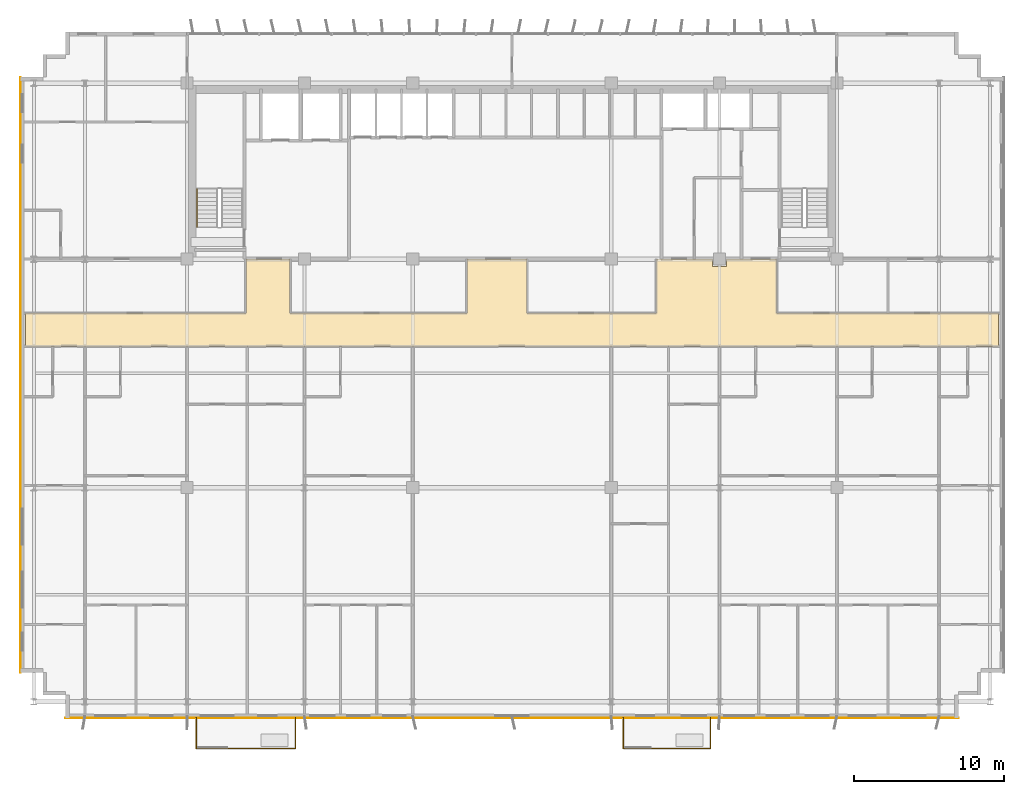
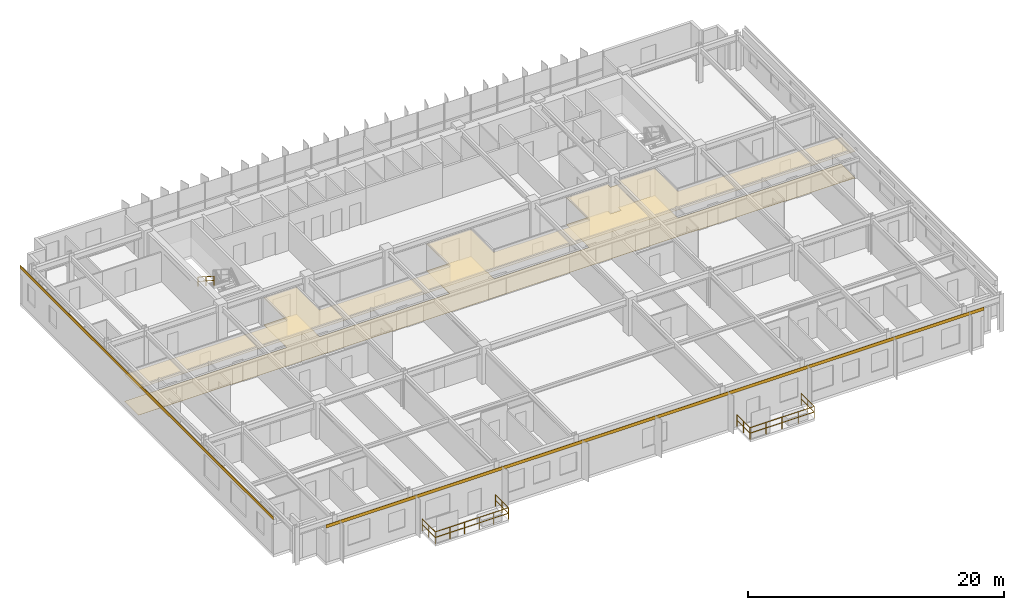
# One storey, part 20 of 22: 7 railings, 4 coverings.
"""IFC4 building model written with IfcOpenShell, lengths in metres."""

from ifc_helpers import new_model, si_unit, direction, frame, origin, origin_2d, place, context, subcontext, project, spatial, polyline, rectangle, outline, extrude, source, transform, mapped, material, layer, layer_set, type_object, element, save


model = new_model("IFC4")

# Units and contexts
model_context = context("Model", 3, precision=1e-05, world=origin(), true_north=direction((0.0, 1.0)))
body_context = subcontext(model_context, "Body", "Model", "MODEL_VIEW")
ifc_project = project(units=[si_unit("LENGTHUNIT", "METRE"), si_unit("AREAUNIT", "SQUARE_METRE"), si_unit("VOLUMEUNIT", "CUBIC_METRE"), si_unit("PLANEANGLEUNIT", "RADIAN"), si_unit("MASSUNIT", "GRAM", prefix="KILO")], contexts=[model_context])

# Site, building, storey
site_placement = place(None, origin())
site = spatial("IfcSite", under=ifc_project, at=site_placement, CompositionType="ELEMENT")
building_placement = place(site_placement, origin())
building = spatial("IfcBuilding", under=site, at=building_placement, Name="Trelvane Seafront Commons", CompositionType="ELEMENT")
storey_placement = place(building_placement, frame((0.0, 0.0, 92.5)))
storey = spatial("IfcBuildingStorey", under=building, at=storey_placement, Name="L23", CompositionType="ELEMENT", Elevation=92.5)

# Coverings
ifc_material_1 = material(Name="Acoustic Mineral Fibre Ceiling")
ifc_layer_1 = layer(ifc_material_1, 0.02490234375, Name="ARCH-COV-CEIL25")
ifc_layer_set_1 = layer_set([ifc_layer_1], Name="Acoustic Mineral Fibre Ceiling")
covering_type_1 = type_object("IfcCoveringType", Name="ARCH-COV-CEIL25", PredefinedType="CEILING", material=ifc_layer_set_1)
covering_1_placement = place(storey_placement, frame((0.0, 0.0, 2.550048828125)))
element("IfcCovering", 1, at=covering_1_placement, inside=storey, type_object=covering_type_1, Name="COV-CEIL-L23-11", PredefinedType="CEILING", context=body_context, shape_type="SweptSolid", body=[
    extrude(outline(polyline([(51.47998046875, 33.39990234375), (51.47998046875, 32.919921875), (50.52001953125, 32.919921875), (50.52001953125, 33.39990234375), (46.800048828125, 33.39990234375), (46.800048828125, 29.800048828125), (38.199951171875, 29.800048828125), (38.199951171875, 33.39990234375), (34.199951171875, 33.39990234375), (34.199951171875, 29.800048828125), (22.449951171875, 29.800048828125), (22.449951171875, 33.39990234375), (19.5, 33.39990234375), (19.5, 29.800048828125), (4.85009765625, 29.800048828125), (4.85009765625, 27.60009765625), (69.550048828125, 27.60009765625), (69.550048828125, 29.800048828125), (54.800048828125, 29.800048828125), (54.800048828125, 33.39990234375), (51.47998046875, 33.39990234375)])), origin(), (0.0, 0.0, 1.0), 0.02490234375),
])
ifc_material_2 = material(Name="Polished Terrazzo Finish")
ifc_layer_2 = layer(ifc_material_2, 0.02001953125, Name="ARCH-COV-FLOR20")
ifc_layer_set_2 = layer_set([ifc_layer_2], Name="Polished Terrazzo Finish")
covering_type_2 = type_object("IfcCoveringType", Name="ARCH-COV-FLOR20", PredefinedType="FLOORING", material=ifc_layer_set_2)
covering_2_placement = place(storey_placement, origin())
element("IfcCovering", 2, at=covering_2_placement, inside=storey, type_object=covering_type_2, Name="COV-FLOR-L23-11", PredefinedType="FLOORING", context=body_context, shape_type="SweptSolid", body=[
    extrude(outline(polyline([(51.47998046875, 33.39990234375), (51.47998046875, 32.919921875), (50.52001953125, 32.919921875), (50.52001953125, 33.39990234375), (46.800048828125, 33.39990234375), (46.800048828125, 29.800048828125), (38.199951171875, 29.800048828125), (38.199951171875, 33.39990234375), (34.199951171875, 33.39990234375), (34.199951171875, 29.800048828125), (22.449951171875, 29.800048828125), (22.449951171875, 33.39990234375), (19.5, 33.39990234375), (19.5, 29.800048828125), (4.85009765625, 29.800048828125), (4.85009765625, 27.60009765625), (69.550048828125, 27.60009765625), (69.550048828125, 29.800048828125), (54.800048828125, 29.800048828125), (54.800048828125, 33.39990234375), (51.47998046875, 33.39990234375)])), origin(), (0.0, 0.0, 1.0), 0.02001953125),
])

# Railings
ifc_material_3 = material(Name="Stainless steel balustrade", Category="steel")
railing_type_1 = type_object("IfcRailingType", Name="ARCH-RAIL-BAL1150", PredefinedType="BALUSTRADE", material=ifc_material_3)
railing_1_placement = place(storey_placement, frame((16.199951171875, 2.89990234375, 0.0)))
element("IfcRailing", 3, at=railing_1_placement, inside=storey, type_object=railing_type_1, Name="RL-L23-BAL0-01", PredefinedType="BALUSTRADE", context=body_context, shape_type="SweptSolid", body=[
    extrude(rectangle(XDim=0.048095703125, YDim=0.048095703125, at=origin_2d()), frame((0.0, 0.0, 1.1259765625), z_axis=(0.0, -1.0, 0.0), x_axis=(1.0, 0.0, 0.0)), (0.0, 0.0, 1.0), 2.039794921875),
    extrude(rectangle(XDim=0.048095703125, YDim=0.048095703125, at=origin_2d()), frame((0.0, 0.0, 0.597900390625), z_axis=(0.0, -1.0, 0.0), x_axis=(1.0, 0.0, 0.0)), (0.0, 0.0, 1.0), 2.039794921875),
    extrude(rectangle(XDim=0.0419921875, YDim=0.0419921875, at=origin_2d()), origin(), (0.0, 0.0, 1.0), 1.1259765625),
    extrude(rectangle(XDim=0.0419921875, YDim=0.0419921875, at=origin_2d()), frame((0.0, -1.02001953125, 0.0)), (0.0, 0.0, 1.0), 1.1259765625),
    extrude(rectangle(XDim=0.0419921875, YDim=0.0419921875, at=origin_2d()), frame((0.0, -2.039794921875, 0.0)), (0.0, 0.0, 1.0), 1.1259765625),
])
railing_2_placement = place(storey_placement, frame((16.199951171875, 0.860107421875, 0.0)))
element("IfcRailing", 4, at=railing_2_placement, inside=storey, type_object=railing_type_1, Name="RL-L23-BAL0-02", PredefinedType="BALUSTRADE", context=body_context, shape_type="SweptSolid", body=[
    extrude(rectangle(XDim=0.048095703125, YDim=0.048095703125, at=origin_2d()), frame((0.0, 0.0, 1.1259765625), z_axis=(1.0, 0.0, 0.0), x_axis=(0.0, 1.0, 0.0)), (0.0, 0.0, 1.0), 6.60009765625),
    extrude(rectangle(XDim=0.048095703125, YDim=0.048095703125, at=origin_2d()), frame((0.0, 0.0, 0.597900390625), z_axis=(1.0, 0.0, 0.0), x_axis=(0.0, 1.0, 0.0)), (0.0, 0.0, 1.0), 6.60009765625),
    extrude(rectangle(XDim=0.0419921875, YDim=0.0419921875, at=origin_2d()), origin(), (0.0, 0.0, 1.0), 1.1259765625),
    extrude(rectangle(XDim=0.0419921875, YDim=0.0419921875, at=origin_2d()), frame((1.320068359375, 0.0, 0.0)), (0.0, 0.0, 1.0), 1.1259765625),
    extrude(rectangle(XDim=0.0419921875, YDim=0.0419921875, at=origin_2d()), frame((2.64013671875, 0.0, 0.0)), (0.0, 0.0, 1.0), 1.1259765625),
    extrude(rectangle(XDim=0.0419921875, YDim=0.0419921875, at=origin_2d()), frame((3.9599609375, 0.0, 0.0)), (0.0, 0.0, 1.0), 1.1259765625),
    extrude(rectangle(XDim=0.0419921875, YDim=0.0419921875, at=origin_2d()), frame((5.280029296875, 0.0, 0.0)), (0.0, 0.0, 1.0), 1.1259765625),
    extrude(rectangle(XDim=0.0419921875, YDim=0.0419921875, at=origin_2d()), frame((6.60009765625, 0.0, 0.0)), (0.0, 0.0, 1.0), 1.1259765625),
])
railing_3_placement = place(storey_placement, frame((22.800048828125, 0.860107421875, 0.0)))
element("IfcRailing", 5, at=railing_3_placement, inside=storey, type_object=railing_type_1, Name="RL-L23-BAL0-03", PredefinedType="BALUSTRADE", context=body_context, shape_type="SweptSolid", body=[
    extrude(rectangle(XDim=0.048095703125, YDim=0.048095703125, at=origin_2d()), frame((0.0, 0.0, 1.1259765625), z_axis=(0.0, 1.0, 0.0), x_axis=(-1.0, 0.0, 0.0)), (0.0, 0.0, 1.0), 2.039794921875),
    extrude(rectangle(XDim=0.048095703125, YDim=0.048095703125, at=origin_2d()), frame((0.0, 0.0, 0.597900390625), z_axis=(0.0, 1.0, 0.0), x_axis=(-1.0, 0.0, 0.0)), (0.0, 0.0, 1.0), 2.039794921875),
    extrude(rectangle(XDim=0.0419921875, YDim=0.0419921875, at=origin_2d()), origin(), (0.0, 0.0, 1.0), 1.1259765625),
    extrude(rectangle(XDim=0.0419921875, YDim=0.0419921875, at=origin_2d()), frame((0.0, 1.02001953125, 0.0)), (0.0, 0.0, 1.0), 1.1259765625),
    extrude(rectangle(XDim=0.0419921875, YDim=0.0419921875, at=origin_2d()), frame((0.0, 2.039794921875, 0.0)), (0.0, 0.0, 1.0), 1.1259765625),
])
railing_4_placement = place(storey_placement, frame((44.60009765625, 2.89990234375, 0.0)))
element("IfcRailing", 6, at=railing_4_placement, inside=storey, type_object=railing_type_1, Name="RL-L23-BAL1-01", PredefinedType="BALUSTRADE", context=body_context, shape_type="SweptSolid", body=[
    extrude(rectangle(XDim=0.048095703125, YDim=0.048095703125, at=origin_2d()), frame((0.0, 0.0, 1.1259765625), z_axis=(0.0, -1.0, 0.0), x_axis=(1.0, 0.0, 0.0)), (0.0, 0.0, 1.0), 2.039794921875),
    extrude(rectangle(XDim=0.048095703125, YDim=0.048095703125, at=origin_2d()), frame((0.0, 0.0, 0.597900390625), z_axis=(0.0, -1.0, 0.0), x_axis=(1.0, 0.0, 0.0)), (0.0, 0.0, 1.0), 2.039794921875),
    extrude(rectangle(XDim=0.0419921875, YDim=0.0419921875, at=origin_2d()), origin(), (0.0, 0.0, 1.0), 1.1259765625),
    extrude(rectangle(XDim=0.0419921875, YDim=0.0419921875, at=origin_2d()), frame((0.0, -1.02001953125, 0.0)), (0.0, 0.0, 1.0), 1.1259765625),
    extrude(rectangle(XDim=0.0419921875, YDim=0.0419921875, at=origin_2d()), frame((0.0, -2.039794921875, 0.0)), (0.0, 0.0, 1.0), 1.1259765625),
])
railing_5_placement = place(storey_placement, frame((44.60009765625, 0.860107421875, 0.0)))
element("IfcRailing", 7, at=railing_5_placement, inside=storey, type_object=railing_type_1, Name="RL-L23-BAL1-02", PredefinedType="BALUSTRADE", context=body_context, shape_type="SweptSolid", body=[
    extrude(rectangle(XDim=0.048095703125, YDim=0.048095703125, at=origin_2d()), frame((0.0, 0.0, 1.1259765625), z_axis=(1.0, 0.0, 0.0), x_axis=(0.0, 1.0, 0.0)), (0.0, 0.0, 1.0), 5.7998046875),
    extrude(rectangle(XDim=0.048095703125, YDim=0.048095703125, at=origin_2d()), frame((0.0, 0.0, 0.597900390625), z_axis=(1.0, 0.0, 0.0), x_axis=(0.0, 1.0, 0.0)), (0.0, 0.0, 1.0), 5.7998046875),
    extrude(rectangle(XDim=0.0419921875, YDim=0.0419921875, at=origin_2d()), origin(), (0.0, 0.0, 1.0), 1.1259765625),
    extrude(rectangle(XDim=0.0419921875, YDim=0.0419921875, at=origin_2d()), frame((1.449951171875, 0.0, 0.0)), (0.0, 0.0, 1.0), 1.1259765625),
    extrude(rectangle(XDim=0.0419921875, YDim=0.0419921875, at=origin_2d()), frame((2.89990234375, 0.0, 0.0)), (0.0, 0.0, 1.0), 1.1259765625),
    extrude(rectangle(XDim=0.0419921875, YDim=0.0419921875, at=origin_2d()), frame((4.349853515625, 0.0, 0.0)), (0.0, 0.0, 1.0), 1.1259765625),
    extrude(rectangle(XDim=0.0419921875, YDim=0.0419921875, at=origin_2d()), frame((5.7998046875, 0.0, 0.0)), (0.0, 0.0, 1.0), 1.1259765625),
])
railing_6_placement = place(storey_placement, frame((50.39990234375, 0.860107421875, 0.0)))
element("IfcRailing", 8, at=railing_6_placement, inside=storey, type_object=railing_type_1, Name="RL-L23-BAL1-03", PredefinedType="BALUSTRADE", context=body_context, shape_type="SweptSolid", body=[
    extrude(rectangle(XDim=0.048095703125, YDim=0.048095703125, at=origin_2d()), frame((0.0, 0.0, 1.1259765625), z_axis=(0.0, 1.0, 0.0), x_axis=(-1.0, 0.0, 0.0)), (0.0, 0.0, 1.0), 2.039794921875),
    extrude(rectangle(XDim=0.048095703125, YDim=0.048095703125, at=origin_2d()), frame((0.0, 0.0, 0.597900390625), z_axis=(0.0, 1.0, 0.0), x_axis=(-1.0, 0.0, 0.0)), (0.0, 0.0, 1.0), 2.039794921875),
    extrude(rectangle(XDim=0.0419921875, YDim=0.0419921875, at=origin_2d()), origin(), (0.0, 0.0, 1.0), 1.1259765625),
    extrude(rectangle(XDim=0.0419921875, YDim=0.0419921875, at=origin_2d()), frame((0.0, 1.02001953125, 0.0)), (0.0, 0.0, 1.0), 1.1259765625),
    extrude(rectangle(XDim=0.0419921875, YDim=0.0419921875, at=origin_2d()), frame((0.0, 2.039794921875, 0.0)), (0.0, 0.0, 1.0), 1.1259765625),
])
railing_type_2 = type_object("IfcRailingType", Name="ARCH-SRL-HAND", PredefinedType="HANDRAIL", material=ifc_material_3)
railing_7_placement = place(storey_placement, frame((16.25, 38.070068359375, 1.97998046875)))
element("IfcRailing", 9, at=railing_7_placement, inside=storey, type_object=railing_type_2, Name="L23 ST-1 stair handrail 2", PredefinedType="HANDRAIL", context=body_context, shape_type="SweptSolid", body=[
    extrude(rectangle(XDim=0.048095703125, YDim=0.048095703125, at=origin_2d()), frame((0.0, 0.0, 0.8759765625), z_axis=(0.0, -0.841162588446, 0.540782303519), x_axis=(1.0, 0.0, 0.0)), (0.0, 0.0, 1.0), 2.995849609375),
    extrude(rectangle(XDim=0.048095703125, YDim=0.048095703125, at=origin_2d()), frame((0.0, 0.0, 0.468017578125), z_axis=(0.0, -0.841162588446, 0.540782303519), x_axis=(1.0, 0.0, 0.0)), (0.0, 0.0, 1.0), 2.995849609375),
    extrude(rectangle(XDim=0.0419921875, YDim=0.0419921875, at=origin_2d()), origin(), (0.0, 0.0, 1.0), 0.8759765625),
    extrude(rectangle(XDim=0.0419921875, YDim=0.0419921875, at=origin_2d()), frame((0.0, -1.260009765625, 0.81005859375)), (0.0, 0.0, 1.0), 0.8759765625),
    extrude(rectangle(XDim=0.0419921875, YDim=0.0419921875, at=origin_2d()), frame((0.0, -2.52001953125, 1.6201171875)), (0.0, 0.0, 1.0), 0.8759765625),
])

# Coverings
ifc_material_4 = material(Name="Anodised pale-silver aluminium", Category="aluminium")
ifc_layer_3 = layer(ifc_material_4, 0.034912109375, Name="ARCH-COV-CLAD35")
ifc_layer_set_3 = layer_set([ifc_layer_3], Name="Anodised pale-silver aluminium")
covering_type_3 = type_object("IfcCoveringType", Name="ARCH-COV-CLAD35", PredefinedType="CLADDING", material=ifc_layer_set_3)
shared_shape_1 = source(origin(), body_context, "Body", "SweptSolid", [
    extrude(rectangle(XDim=39.60009765625, YDim=0.034912109375, at=origin_2d()), origin(), (0.0, 0.0, 1.0), 0.300048828125),
])
covering_3_placement = place(storey_placement, frame((4.5, 25.699951171875, 3.2998046875), z_axis=(0.0, 0.0, 1.0), x_axis=(0.0, 1.0, 0.0)))
element("IfcCovering", 10, at=covering_3_placement, inside=storey, type_object=covering_type_3, Name="CLD-L23-00100", PredefinedType="CLADDING", context=body_context, shape_type="MappedRepresentation", body=[
    mapped(shared_shape_1, transform((0.0, 0.0, 0.0), x_axis=(1.0, 0.0, 0.0), y_axis=(0.0, 1.0, 0.0), z_axis=(0.0, 0.0, 1.0), scale=1.0)),
])
shared_shape_2 = source(origin(), body_context, "Body", "SweptSolid", [
    extrude(rectangle(XDim=59.39990234375, YDim=0.034912109375, at=origin_2d()), origin(), (0.0, 0.0, 1.0), 0.300048828125),
])
covering_4_placement = place(storey_placement, frame((37.199951171875, 2.89990234375, 3.2998046875), z_axis=(0.0, 0.0, 1.0), x_axis=(-1.0, 0.0, 0.0)))
element("IfcCovering", 11, at=covering_4_placement, inside=storey, type_object=covering_type_3, Name="CLD-L23-00102", PredefinedType="CLADDING", context=body_context, shape_type="MappedRepresentation", body=[
    mapped(shared_shape_2, transform((0.0, 0.0, 0.0), x_axis=(1.0, 0.0, 0.0), y_axis=(0.0, 1.0, 0.0), z_axis=(0.0, 0.0, 1.0), scale=1.0)),
])

save(model, "model.ifc")
